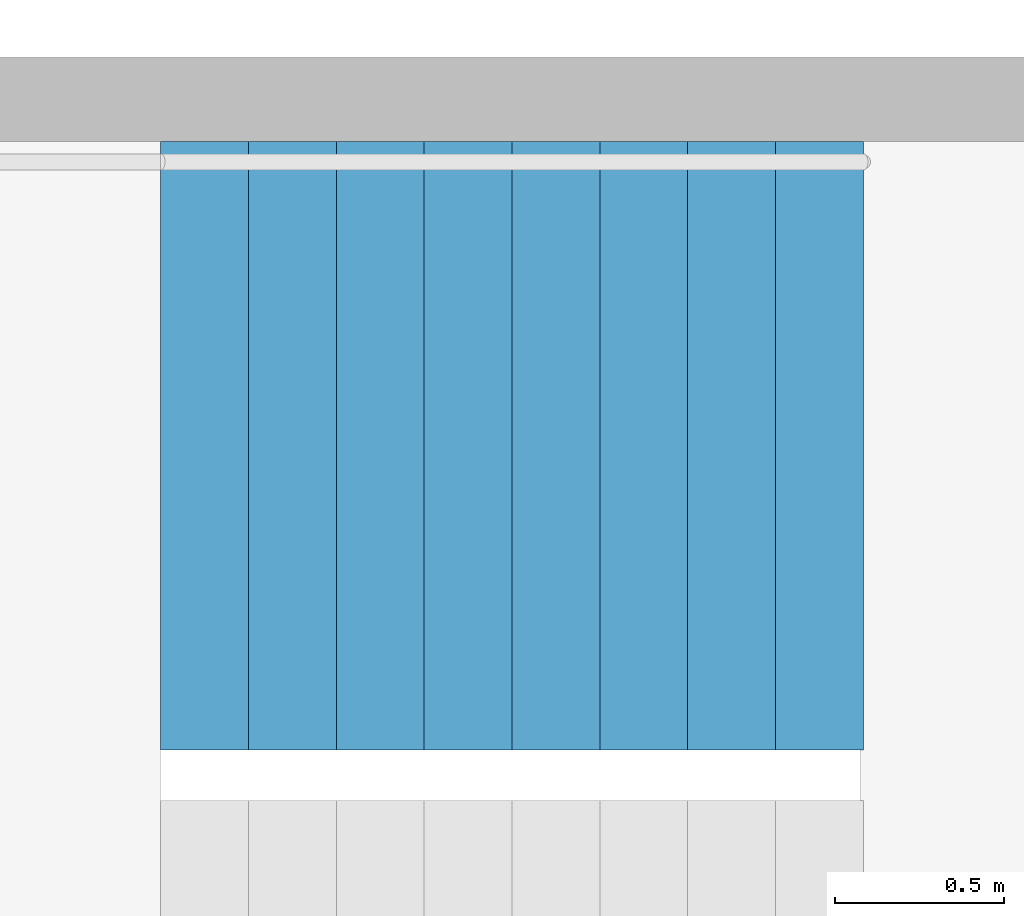
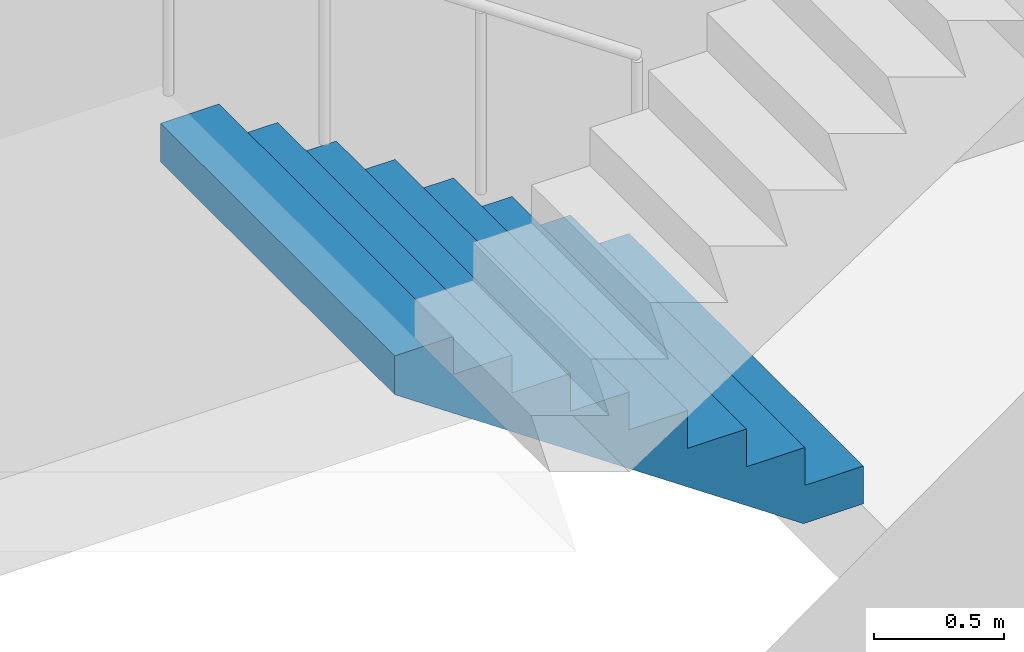
# One storey, part 19 of 26: 1 stair flight, 1 element without a shape of its own.
"""IFC4 building model written with IfcOpenShell, lengths in metres."""

from ifc_helpers import new_model, si_unit, direction, frame, origin, place, context, subcontext, project, spatial, triangles, material, type_object, element, aggregate, save


model = new_model("IFC4")

# Units and contexts
model_context = context("Model", 3, precision=1e-05, world=origin(), true_north=direction((0.0, 1.0)))
body_context = subcontext(model_context, "Body", "Model", "MODEL_VIEW")
ifc_project = project(units=[si_unit("LENGTHUNIT", "METRE"), si_unit("AREAUNIT", "SQUARE_METRE"), si_unit("VOLUMEUNIT", "CUBIC_METRE"), si_unit("PLANEANGLEUNIT", "RADIAN"), si_unit("MASSUNIT", "GRAM", prefix="KILO")], contexts=[model_context])

# Site, building, storey
site_placement = place(None, origin())
site = spatial("IfcSite", under=ifc_project, at=site_placement, CompositionType="ELEMENT")
building_placement = place(site_placement, origin())
building = spatial("IfcBuilding", under=site, at=building_placement, Name="Hakoniwa Tower and Hamabe Station Hall", CompositionType="ELEMENT")
storey_placement = place(building_placement, frame((0.0, 0.0, 159.800048828125)))
storey = spatial("IfcBuildingStorey", under=building, at=storey_placement, Name="L45", CompositionType="ELEMENT", Elevation=159.800048828125)

# Stair, stair flight
ifc_material_1 = material(Name="Concrete C40", Category="concrete")
stair_type = type_object("IfcStairType", Name="ESCAPE STAIR 1800", PredefinedType="HALF_TURN_STAIR", material=ifc_material_1)
stair_placement = place(storey_placement, origin())
stair = element("IfcStair", 1, at=stair_placement, inside=storey, type_object=stair_type, Name="Escape stair ST-2 L45", PredefinedType="HALF_TURN_STAIR")
ifc_material_2 = material(Name="Concrete C40", Category="concrete")
stair_flight_type = type_object("IfcStairFlightType", Name="STAIR FLIGHT 1800", PredefinedType="STRAIGHT", material=ifc_material_2)
stair_flight_placement = place(storey_placement, frame((-23.39990234375, -4.64990234375, 0.0), z_axis=(0.0, 0.0, 1.0), x_axis=(-1.0, 0.0, 0.0)))
stair_flight = element("IfcStairFlight", 2, at=stair_flight_placement, type_object=stair_flight_type, Name="ST-2 flight 1", NumberOfRisers=9, NumberOfTreads=8, PredefinedType="STRAIGHT", RiserHeight=0.177777778, TreadLength=0.26, context=body_context, shape_type="Tessellation", body=[
    triangles([(0.0, 0.89990234375, 0.0), (0.260009765625, 0.89990234375, 0.0), (0.265625, 0.89990234375, 0.0), (0.52001953125, 0.89990234375, 0.174072265625), (0.780029296875, 0.89990234375, 0.351806640625), (1.0400390625, 0.89990234375, 0.529541015625), (1.300048828125, 0.89990234375, 0.707275390625), (1.56005859375, 0.89990234375, 0.885009765625), (1.820068359375, 0.89990234375, 1.062744140625), (2.080078125, 0.89990234375, 1.24072265625), (2.080078125, 0.89990234375, 1.422119140625), (1.820068359375, 0.89990234375, 1.422119140625), (1.820068359375, 0.89990234375, 1.244384765625), (1.56005859375, 0.89990234375, 1.244384765625), (1.56005859375, 0.89990234375, 1.066650390625), (1.300048828125, 0.89990234375, 1.066650390625), (1.300048828125, 0.89990234375, 0.888916015625), (1.0400390625, 0.89990234375, 0.888916015625), (1.0400390625, 0.89990234375, 0.711181640625), (0.780029296875, 0.89990234375, 0.711181640625), (0.780029296875, 0.89990234375, 0.533447265625), (0.52001953125, 0.89990234375, 0.533447265625), (0.52001953125, 0.89990234375, 0.35546875), (0.265625, 0.89990234375, 0.35546875), (0.260009765625, 0.89990234375, 0.35546875), (0.260009765625, 0.89990234375, 0.177734375), (0.0, 0.89990234375, 0.177734375), (0.0, 0.06005859375, 0.0), (0.260009765625, 0.06005859375, 0.0), (0.265625, 0.06005859375, 0.0), (0.52001953125, 0.06005859375, 0.174072265625), (0.780029296875, 0.06005859375, 0.351806640625), (1.0400390625, 0.06005859375, 0.529541015625), (1.300048828125, 0.06005859375, 0.707275390625), (1.56005859375, 0.06005859375, 0.885009765625), (1.820068359375, 0.06005859375, 1.062744140625), (2.080078125, 0.06005859375, 1.24072265625), (2.080078125, 0.06005859375, 1.422119140625), (1.820068359375, 0.06005859375, 1.422119140625), (1.820068359375, 0.06005859375, 1.244384765625), (1.56005859375, 0.06005859375, 1.244384765625), (1.56005859375, 0.06005859375, 1.066650390625), (1.300048828125, 0.06005859375, 1.066650390625), (1.300048828125, 0.06005859375, 0.888916015625), (1.0400390625, 0.06005859375, 0.888916015625), (1.0400390625, 0.06005859375, 0.711181640625), (0.780029296875, 0.06005859375, 0.711181640625), (0.780029296875, 0.06005859375, 0.533447265625), (0.52001953125, 0.06005859375, 0.533447265625), (0.52001953125, 0.06005859375, 0.35546875), (0.265625, 0.06005859375, 0.35546875), (0.260009765625, 0.06005859375, 0.35546875), (0.260009765625, 0.06005859375, 0.177734375), (0.0, 0.06005859375, 0.177734375), (0.0, 0.04296875, 0.0), (0.260009765625, 0.04296875, 0.0), (0.265625, 0.04296875, 0.0), (0.52001953125, 0.04296875, 0.174072265625), (0.780029296875, 0.04296875, 0.351806640625), (1.0400390625, 0.04296875, 0.529541015625), (1.300048828125, 0.04296875, 0.707275390625), (1.56005859375, 0.04296875, 0.885009765625), (1.820068359375, 0.04296875, 1.062744140625), (2.080078125, 0.04296875, 1.24072265625), (2.080078125, 0.04296875, 1.422119140625), (1.820068359375, 0.04296875, 1.422119140625), (1.820068359375, 0.04296875, 1.244384765625), (1.56005859375, 0.04296875, 1.244384765625), (1.56005859375, 0.04296875, 1.066650390625), (1.300048828125, 0.04296875, 1.066650390625), (1.300048828125, 0.04296875, 0.888916015625), (1.0400390625, 0.04296875, 0.888916015625), (1.0400390625, 0.04296875, 0.711181640625), (0.780029296875, 0.04296875, 0.711181640625), (0.780029296875, 0.04296875, 0.533447265625), (0.52001953125, 0.04296875, 0.533447265625), (0.52001953125, 0.04296875, 0.35546875), (0.265625, 0.04296875, 0.35546875), (0.260009765625, 0.04296875, 0.35546875), (0.260009765625, 0.04296875, 0.177734375), (0.0, 0.04296875, 0.177734375), (0.0, 0.025634765625, 0.0), (0.260009765625, 0.025634765625, 0.0), (0.265625, 0.025634765625, 0.0), (0.52001953125, 0.025634765625, 0.174072265625), (0.780029296875, 0.025634765625, 0.351806640625), (1.0400390625, 0.025634765625, 0.529541015625), (1.300048828125, 0.025634765625, 0.707275390625), (1.56005859375, 0.025634765625, 0.885009765625), (1.820068359375, 0.025634765625, 1.062744140625), (2.080078125, 0.025634765625, 1.24072265625), (2.080078125, 0.025634765625, 1.422119140625), (1.820068359375, 0.025634765625, 1.422119140625), (1.820068359375, 0.025634765625, 1.244384765625), (1.56005859375, 0.025634765625, 1.244384765625), (1.56005859375, 0.025634765625, 1.066650390625), (1.300048828125, 0.025634765625, 1.066650390625), (1.300048828125, 0.025634765625, 0.888916015625), (1.0400390625, 0.025634765625, 0.888916015625), (1.0400390625, 0.025634765625, 0.711181640625), (0.780029296875, 0.025634765625, 0.711181640625), (0.780029296875, 0.025634765625, 0.533447265625), (0.52001953125, 0.025634765625, 0.533447265625), (0.52001953125, 0.025634765625, 0.35546875), (0.265625, 0.025634765625, 0.35546875), (0.260009765625, 0.025634765625, 0.35546875), (0.260009765625, 0.025634765625, 0.177734375), (0.0, 0.025634765625, 0.177734375), (0.0, 0.008544921875, 0.0), (0.260009765625, 0.008544921875, 0.0), (0.265625, 0.008544921875, 0.0), (0.52001953125, 0.008544921875, 0.174072265625), (0.780029296875, 0.008544921875, 0.351806640625), (1.0400390625, 0.008544921875, 0.529541015625), (1.300048828125, 0.008544921875, 0.707275390625), (1.56005859375, 0.008544921875, 0.885009765625), (1.820068359375, 0.008544921875, 1.062744140625), (2.080078125, 0.008544921875, 1.24072265625), (2.080078125, 0.008544921875, 1.422119140625), (1.820068359375, 0.008544921875, 1.422119140625), (1.820068359375, 0.008544921875, 1.244384765625), (1.56005859375, 0.008544921875, 1.244384765625), (1.56005859375, 0.008544921875, 1.066650390625), (1.300048828125, 0.008544921875, 1.066650390625), (1.300048828125, 0.008544921875, 0.888916015625), (1.0400390625, 0.008544921875, 0.888916015625), (1.0400390625, 0.008544921875, 0.711181640625), (0.780029296875, 0.008544921875, 0.711181640625), (0.780029296875, 0.008544921875, 0.533447265625), (0.52001953125, 0.008544921875, 0.533447265625), (0.52001953125, 0.008544921875, 0.35546875), (0.265625, 0.008544921875, 0.35546875), (0.260009765625, 0.008544921875, 0.35546875), (0.260009765625, 0.008544921875, 0.177734375), (0.0, 0.008544921875, 0.177734375), (0.0, -0.008544921875, 0.0), (0.260009765625, -0.008544921875, 0.0), (0.265625, -0.008544921875, 0.0), (0.52001953125, -0.008544921875, 0.174072265625), (0.780029296875, -0.008544921875, 0.351806640625), (1.0400390625, -0.008544921875, 0.529541015625), (1.300048828125, -0.008544921875, 0.707275390625), (1.56005859375, -0.008544921875, 0.885009765625), (1.820068359375, -0.008544921875, 1.062744140625), (2.080078125, -0.008544921875, 1.24072265625), (2.080078125, -0.008544921875, 1.422119140625), (1.820068359375, -0.008544921875, 1.422119140625), (1.820068359375, -0.008544921875, 1.244384765625), (1.56005859375, -0.008544921875, 1.244384765625), (1.56005859375, -0.008544921875, 1.066650390625), (1.300048828125, -0.008544921875, 1.066650390625), (1.300048828125, -0.008544921875, 0.888916015625), (1.0400390625, -0.008544921875, 0.888916015625), (1.0400390625, -0.008544921875, 0.711181640625), (0.780029296875, -0.008544921875, 0.711181640625), (0.780029296875, -0.008544921875, 0.533447265625), (0.52001953125, -0.008544921875, 0.533447265625), (0.52001953125, -0.008544921875, 0.35546875), (0.265625, -0.008544921875, 0.35546875), (0.260009765625, -0.008544921875, 0.35546875), (0.260009765625, -0.008544921875, 0.177734375), (0.0, -0.008544921875, 0.177734375), (0.0, -0.025634765625, 0.0), (0.260009765625, -0.025634765625, 0.0), (0.265625, -0.025634765625, 0.0), (0.52001953125, -0.025634765625, 0.174072265625), (0.780029296875, -0.025634765625, 0.351806640625), (1.0400390625, -0.025634765625, 0.529541015625), (1.300048828125, -0.025634765625, 0.707275390625), (1.56005859375, -0.025634765625, 0.885009765625), (1.820068359375, -0.025634765625, 1.062744140625), (2.080078125, -0.025634765625, 1.24072265625), (2.080078125, -0.025634765625, 1.422119140625), (1.820068359375, -0.025634765625, 1.422119140625), (1.820068359375, -0.025634765625, 1.244384765625), (1.56005859375, -0.025634765625, 1.244384765625), (1.56005859375, -0.025634765625, 1.066650390625), (1.300048828125, -0.025634765625, 1.066650390625), (1.300048828125, -0.025634765625, 0.888916015625), (1.0400390625, -0.025634765625, 0.888916015625), (1.0400390625, -0.025634765625, 0.711181640625), (0.780029296875, -0.025634765625, 0.711181640625), (0.780029296875, -0.025634765625, 0.533447265625), (0.52001953125, -0.025634765625, 0.533447265625), (0.52001953125, -0.025634765625, 0.35546875), (0.265625, -0.025634765625, 0.35546875), (0.260009765625, -0.025634765625, 0.35546875), (0.260009765625, -0.025634765625, 0.177734375), (0.0, -0.025634765625, 0.177734375), (0.0, -0.04296875, 0.0), (0.260009765625, -0.04296875, 0.0), (0.265625, -0.04296875, 0.0), (0.52001953125, -0.04296875, 0.174072265625), (0.780029296875, -0.04296875, 0.351806640625), (1.0400390625, -0.04296875, 0.529541015625), (1.300048828125, -0.04296875, 0.707275390625), (1.56005859375, -0.04296875, 0.885009765625), (1.820068359375, -0.04296875, 1.062744140625), (2.080078125, -0.04296875, 1.24072265625), (2.080078125, -0.04296875, 1.422119140625), (1.820068359375, -0.04296875, 1.422119140625), (1.820068359375, -0.04296875, 1.244384765625), (1.56005859375, -0.04296875, 1.244384765625), (1.56005859375, -0.04296875, 1.066650390625), (1.300048828125, -0.04296875, 1.066650390625), (1.300048828125, -0.04296875, 0.888916015625), (1.0400390625, -0.04296875, 0.888916015625), (1.0400390625, -0.04296875, 0.711181640625), (0.780029296875, -0.04296875, 0.711181640625), (0.780029296875, -0.04296875, 0.533447265625), (0.52001953125, -0.04296875, 0.533447265625), (0.52001953125, -0.04296875, 0.35546875), (0.265625, -0.04296875, 0.35546875), (0.260009765625, -0.04296875, 0.35546875), (0.260009765625, -0.04296875, 0.177734375), (0.0, -0.04296875, 0.177734375), (0.0, -0.06005859375, 0.0), (0.260009765625, -0.06005859375, 0.0), (0.265625, -0.06005859375, 0.0), (0.52001953125, -0.06005859375, 0.174072265625), (0.780029296875, -0.06005859375, 0.351806640625), (1.0400390625, -0.06005859375, 0.529541015625), (1.300048828125, -0.06005859375, 0.707275390625), (1.56005859375, -0.06005859375, 0.885009765625), (1.820068359375, -0.06005859375, 1.062744140625), (2.080078125, -0.06005859375, 1.24072265625), (2.080078125, -0.06005859375, 1.422119140625), (1.820068359375, -0.06005859375, 1.422119140625), (1.820068359375, -0.06005859375, 1.244384765625), (1.56005859375, -0.06005859375, 1.244384765625), (1.56005859375, -0.06005859375, 1.066650390625), (1.300048828125, -0.06005859375, 1.066650390625), (1.300048828125, -0.06005859375, 0.888916015625), (1.0400390625, -0.06005859375, 0.888916015625), (1.0400390625, -0.06005859375, 0.711181640625), (0.780029296875, -0.06005859375, 0.711181640625), (0.780029296875, -0.06005859375, 0.533447265625), (0.52001953125, -0.06005859375, 0.533447265625), (0.52001953125, -0.06005859375, 0.35546875), (0.265625, -0.06005859375, 0.35546875), (0.260009765625, -0.06005859375, 0.35546875), (0.260009765625, -0.06005859375, 0.177734375), (0.0, -0.06005859375, 0.177734375), (0.0, -0.89990234375, 0.0), (0.260009765625, -0.89990234375, 0.0), (0.265625, -0.89990234375, 0.0), (0.52001953125, -0.89990234375, 0.174072265625), (0.780029296875, -0.89990234375, 0.351806640625), (1.0400390625, -0.89990234375, 0.529541015625), (1.300048828125, -0.89990234375, 0.707275390625), (1.56005859375, -0.89990234375, 0.885009765625), (1.820068359375, -0.89990234375, 1.062744140625), (2.080078125, -0.89990234375, 1.24072265625), (2.080078125, -0.89990234375, 1.422119140625), (1.820068359375, -0.89990234375, 1.422119140625), (1.820068359375, -0.89990234375, 1.244384765625), (1.56005859375, -0.89990234375, 1.244384765625), (1.56005859375, -0.89990234375, 1.066650390625), (1.300048828125, -0.89990234375, 1.066650390625), (1.300048828125, -0.89990234375, 0.888916015625), (1.0400390625, -0.89990234375, 0.888916015625), (1.0400390625, -0.89990234375, 0.711181640625), (0.780029296875, -0.89990234375, 0.711181640625), (0.780029296875, -0.89990234375, 0.533447265625), (0.52001953125, -0.89990234375, 0.533447265625), (0.52001953125, -0.89990234375, 0.35546875), (0.265625, -0.89990234375, 0.35546875), (0.260009765625, -0.89990234375, 0.35546875), (0.260009765625, -0.89990234375, 0.177734375), (0.0, -0.89990234375, 0.177734375)], [[2, 27, 26], [245, 269, 270], [2, 1, 27], [245, 270, 244], [3, 25, 24], [246, 267, 268], [3, 26, 25], [246, 268, 269], [3, 2, 26], [246, 269, 245], [4, 24, 23], [247, 266, 267], [4, 3, 24], [247, 267, 246], [5, 22, 21], [248, 264, 265], [5, 23, 22], [248, 265, 266], [5, 4, 23], [248, 266, 247], [6, 20, 19], [249, 262, 263], [6, 21, 20], [249, 263, 264], [6, 5, 21], [249, 264, 248], [7, 18, 17], [250, 260, 261], [7, 19, 18], [250, 261, 262], [7, 6, 19], [250, 262, 249], [8, 16, 15], [251, 258, 259], [8, 17, 16], [251, 259, 260], [8, 7, 17], [251, 260, 250], [9, 14, 13], [252, 256, 257], [9, 15, 14], [252, 257, 258], [9, 8, 15], [252, 258, 251], [10, 12, 11], [253, 254, 255], [10, 13, 12], [253, 255, 256], [10, 9, 13], [253, 256, 252], [1, 2, 29], [1, 29, 28], [28, 29, 56], [28, 56, 55], [55, 56, 83], [55, 83, 82], [82, 83, 110], [82, 110, 109], [109, 110, 137], [109, 137, 136], [136, 137, 164], [136, 164, 163], [163, 164, 191], [163, 191, 190], [190, 191, 218], [190, 218, 217], [217, 218, 245], [217, 245, 244], [2, 3, 30], [2, 30, 29], [29, 30, 57], [29, 57, 56], [56, 57, 84], [56, 84, 83], [83, 84, 111], [83, 111, 110], [110, 111, 138], [110, 138, 137], [137, 138, 165], [137, 165, 164], [164, 165, 192], [164, 192, 191], [191, 192, 219], [191, 219, 218], [218, 219, 246], [218, 246, 245], [3, 4, 31], [3, 31, 30], [30, 31, 58], [30, 58, 57], [57, 58, 85], [57, 85, 84], [84, 85, 112], [84, 112, 111], [111, 112, 139], [111, 139, 138], [138, 139, 166], [138, 166, 165], [165, 166, 193], [165, 193, 192], [192, 193, 220], [192, 220, 219], [219, 220, 247], [219, 247, 246], [4, 5, 32], [4, 32, 31], [31, 32, 59], [31, 59, 58], [58, 59, 86], [58, 86, 85], [85, 86, 113], [85, 113, 112], [112, 113, 140], [112, 140, 139], [139, 140, 167], [139, 167, 166], [166, 167, 194], [166, 194, 193], [193, 194, 221], [193, 221, 220], [220, 221, 248], [220, 248, 247], [5, 6, 33], [5, 33, 32], [32, 33, 60], [32, 60, 59], [59, 60, 87], [59, 87, 86], [86, 87, 114], [86, 114, 113], [113, 114, 141], [113, 141, 140], [140, 141, 168], [140, 168, 167], [167, 168, 195], [167, 195, 194], [194, 195, 222], [194, 222, 221], [221, 222, 249], [221, 249, 248], [6, 7, 34], [6, 34, 33], [33, 34, 61], [33, 61, 60], [60, 61, 88], [60, 88, 87], [87, 88, 115], [87, 115, 114], [114, 115, 142], [114, 142, 141], [141, 142, 169], [141, 169, 168], [168, 169, 196], [168, 196, 195], [195, 196, 223], [195, 223, 222], [222, 223, 250], [222, 250, 249], [7, 8, 35], [7, 35, 34], [34, 35, 62], [34, 62, 61], [61, 62, 89], [61, 89, 88], [88, 89, 116], [88, 116, 115], [115, 116, 143], [115, 143, 142], [142, 143, 170], [142, 170, 169], [169, 170, 197], [169, 197, 196], [196, 197, 224], [196, 224, 223], [223, 224, 251], [223, 251, 250], [8, 9, 36], [8, 36, 35], [35, 36, 63], [35, 63, 62], [62, 63, 90], [62, 90, 89], [89, 90, 117], [89, 117, 116], [116, 117, 144], [116, 144, 143], [143, 144, 171], [143, 171, 170], [170, 171, 198], [170, 198, 197], [197, 198, 225], [197, 225, 224], [224, 225, 252], [224, 252, 251], [9, 10, 37], [9, 37, 36], [36, 37, 64], [36, 64, 63], [63, 64, 91], [63, 91, 90], [90, 91, 118], [90, 118, 117], [117, 118, 145], [117, 145, 144], [144, 145, 172], [144, 172, 171], [171, 172, 199], [171, 199, 198], [198, 199, 226], [198, 226, 225], [225, 226, 253], [225, 253, 252], [10, 11, 38], [10, 38, 37], [37, 38, 65], [37, 65, 64], [64, 65, 92], [64, 92, 91], [91, 92, 119], [91, 119, 118], [118, 119, 146], [118, 146, 145], [145, 146, 173], [145, 173, 172], [172, 173, 200], [172, 200, 199], [199, 200, 227], [199, 227, 226], [226, 227, 254], [226, 254, 253], [11, 12, 39], [11, 39, 38], [38, 39, 66], [38, 66, 65], [65, 66, 93], [65, 93, 92], [92, 93, 120], [92, 120, 119], [119, 120, 147], [119, 147, 146], [146, 147, 174], [146, 174, 173], [173, 174, 201], [173, 201, 200], [200, 201, 228], [200, 228, 227], [227, 228, 255], [227, 255, 254], [12, 13, 40], [12, 40, 39], [39, 40, 67], [39, 67, 66], [66, 67, 94], [66, 94, 93], [93, 94, 121], [93, 121, 120], [120, 121, 148], [120, 148, 147], [147, 148, 175], [147, 175, 174], [174, 175, 202], [174, 202, 201], [201, 202, 229], [201, 229, 228], [228, 229, 256], [228, 256, 255], [13, 14, 41], [13, 41, 40], [40, 41, 68], [40, 68, 67], [67, 68, 95], [67, 95, 94], [94, 95, 122], [94, 122, 121], [121, 122, 149], [121, 149, 148], [148, 149, 176], [148, 176, 175], [175, 176, 203], [175, 203, 202], [202, 203, 230], [202, 230, 229], [229, 230, 257], [229, 257, 256], [14, 15, 42], [14, 42, 41], [41, 42, 69], [41, 69, 68], [68, 69, 96], [68, 96, 95], [95, 96, 123], [95, 123, 122], [122, 123, 150], [122, 150, 149], [149, 150, 177], [149, 177, 176], [176, 177, 204], [176, 204, 203], [203, 204, 231], [203, 231, 230], [230, 231, 258], [230, 258, 257], [15, 16, 43], [15, 43, 42], [42, 43, 70], [42, 70, 69], [69, 70, 97], [69, 97, 96], [96, 97, 124], [96, 124, 123], [123, 124, 151], [123, 151, 150], [150, 151, 178], [150, 178, 177], [177, 178, 205], [177, 205, 204], [204, 205, 232], [204, 232, 231], [231, 232, 259], [231, 259, 258], [16, 17, 44], [16, 44, 43], [43, 44, 71], [43, 71, 70], [70, 71, 98], [70, 98, 97], [97, 98, 125], [97, 125, 124], [124, 125, 152], [124, 152, 151], [151, 152, 179], [151, 179, 178], [178, 179, 206], [178, 206, 205], [205, 206, 233], [205, 233, 232], [232, 233, 260], [232, 260, 259], [17, 18, 45], [17, 45, 44], [44, 45, 72], [44, 72, 71], [71, 72, 99], [71, 99, 98], [98, 99, 126], [98, 126, 125], [125, 126, 153], [125, 153, 152], [152, 153, 180], [152, 180, 179], [179, 180, 207], [179, 207, 206], [206, 207, 234], [206, 234, 233], [233, 234, 261], [233, 261, 260], [18, 19, 46], [18, 46, 45], [45, 46, 73], [45, 73, 72], [72, 73, 100], [72, 100, 99], [99, 100, 127], [99, 127, 126], [126, 127, 154], [126, 154, 153], [153, 154, 181], [153, 181, 180], [180, 181, 208], [180, 208, 207], [207, 208, 235], [207, 235, 234], [234, 235, 262], [234, 262, 261], [19, 20, 47], [19, 47, 46], [46, 47, 74], [46, 74, 73], [73, 74, 101], [73, 101, 100], [100, 101, 128], [100, 128, 127], [127, 128, 155], [127, 155, 154], [154, 155, 182], [154, 182, 181], [181, 182, 209], [181, 209, 208], [208, 209, 236], [208, 236, 235], [235, 236, 263], [235, 263, 262], [20, 21, 48], [20, 48, 47], [47, 48, 75], [47, 75, 74], [74, 75, 102], [74, 102, 101], [101, 102, 129], [101, 129, 128], [128, 129, 156], [128, 156, 155], [155, 156, 183], [155, 183, 182], [182, 183, 210], [182, 210, 209], [209, 210, 237], [209, 237, 236], [236, 237, 264], [236, 264, 263], [21, 22, 49], [21, 49, 48], [48, 49, 76], [48, 76, 75], [75, 76, 103], [75, 103, 102], [102, 103, 130], [102, 130, 129], [129, 130, 157], [129, 157, 156], [156, 157, 184], [156, 184, 183], [183, 184, 211], [183, 211, 210], [210, 211, 238], [210, 238, 237], [237, 238, 265], [237, 265, 264], [22, 23, 50], [22, 50, 49], [49, 50, 77], [49, 77, 76], [76, 77, 104], [76, 104, 103], [103, 104, 131], [103, 131, 130], [130, 131, 158], [130, 158, 157], [157, 158, 185], [157, 185, 184], [184, 185, 212], [184, 212, 211], [211, 212, 239], [211, 239, 238], [238, 239, 266], [238, 266, 265], [23, 24, 51], [23, 51, 50], [50, 51, 78], [50, 78, 77], [77, 78, 105], [77, 105, 104], [104, 105, 132], [104, 132, 131], [131, 132, 159], [131, 159, 158], [158, 159, 186], [158, 186, 185], [185, 186, 213], [185, 213, 212], [212, 213, 240], [212, 240, 239], [239, 240, 267], [239, 267, 266], [24, 25, 52], [24, 52, 51], [51, 52, 79], [51, 79, 78], [78, 79, 106], [78, 106, 105], [105, 106, 133], [105, 133, 132], [132, 133, 160], [132, 160, 159], [159, 160, 187], [159, 187, 186], [186, 187, 214], [186, 214, 213], [213, 214, 241], [213, 241, 240], [240, 241, 268], [240, 268, 267], [25, 26, 53], [25, 53, 52], [52, 53, 80], [52, 80, 79], [79, 80, 107], [79, 107, 106], [106, 107, 134], [106, 134, 133], [133, 134, 161], [133, 161, 160], [160, 161, 188], [160, 188, 187], [187, 188, 215], [187, 215, 214], [214, 215, 242], [214, 242, 241], [241, 242, 269], [241, 269, 268], [26, 27, 54], [26, 54, 53], [53, 54, 81], [53, 81, 80], [80, 81, 108], [80, 108, 107], [107, 108, 135], [107, 135, 134], [134, 135, 162], [134, 162, 161], [161, 162, 189], [161, 189, 188], [188, 189, 216], [188, 216, 215], [215, 216, 243], [215, 243, 242], [242, 243, 270], [242, 270, 269], [27, 1, 28], [27, 28, 54], [54, 28, 55], [54, 55, 81], [81, 55, 82], [81, 82, 108], [108, 82, 109], [108, 109, 135], [135, 109, 136], [135, 136, 162], [162, 136, 163], [162, 163, 189], [189, 163, 190], [189, 190, 216], [216, 190, 217], [216, 217, 243], [243, 217, 244], [243, 244, 270]], closed=True),
])
aggregate(stair, [stair_flight])

save(model, "model.ifc")
